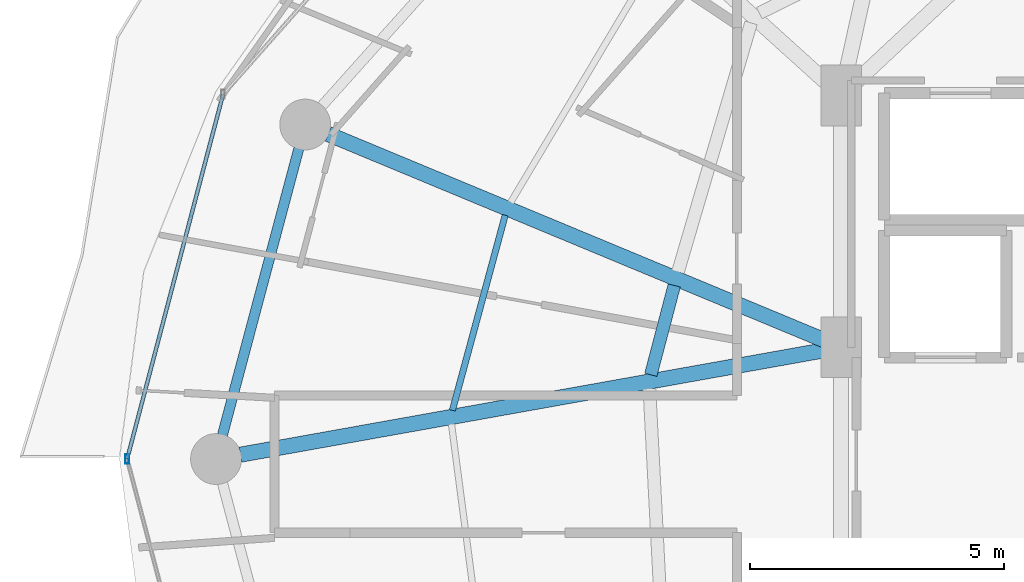
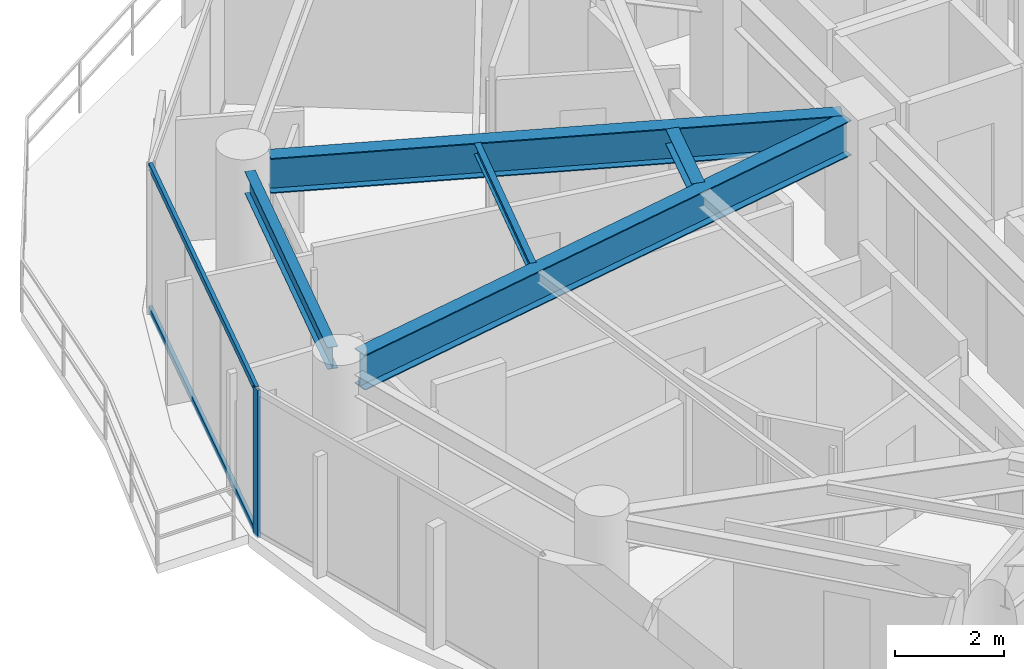
# One storey, part 8 of 30: 5 beams, 3 members, 1 element without a shape of its own.
"""IFC4 building model written with IfcOpenShell, lengths in metres."""

from ifc_helpers import new_model, si_unit, direction, frame, origin, origin_2d, place, context, subcontext, project, spatial, hollow_rectangle, i_section, extrude, material, material_profile, profile_set, type_object, element, aggregate, save


model = new_model("IFC4")

# Units and contexts
model_context = context("Model", 3, precision=1e-05, world=origin(), true_north=direction((0.0, 1.0)))
body_context = subcontext(model_context, "Body", "Model", "MODEL_VIEW")
ifc_project = project(units=[si_unit("LENGTHUNIT", "METRE"), si_unit("AREAUNIT", "SQUARE_METRE"), si_unit("VOLUMEUNIT", "CUBIC_METRE"), si_unit("PLANEANGLEUNIT", "RADIAN"), si_unit("MASSUNIT", "GRAM", prefix="KILO")], contexts=[model_context])

# Site, building, storey
site_placement = place(None, origin())
site = spatial("IfcSite", under=ifc_project, at=site_placement, CompositionType="ELEMENT")
building_placement = place(site_placement, origin())
building = spatial("IfcBuilding", under=site, at=building_placement, Name="Vorneva Point Tower", CompositionType="ELEMENT")
storey_placement = place(building_placement, frame((0.0, 0.0, 157.10009765625)))
storey = spatial("IfcBuildingStorey", under=building, at=storey_placement, Name="L42", CompositionType="ELEMENT", Elevation=157.10009765625)

# Beams
ifc_material_1 = material(Name="Steel S355", Category="steel")
ifc_material_profile_1 = material_profile(ifc_material_1, i_section(OverallWidth=0.300048828125, OverallDepth=0.7880859375, WebThickness=0.014404296875, FlangeThickness=0.02197265625, at=origin_2d()), Name="80Sh1")
ifc_profile_set_1 = profile_set([ifc_material_profile_1], Name="Steel S355")
beam_type_1 = type_object("IfcBeamType", Name="BM-GRD-80Sh1", PredefinedType="USERDEFINED", material=ifc_profile_set_1)
beam_1_placement = place(storey_placement, frame((17.1552734375, 32.39501953125, 2.845947265625), z_axis=(0.923440676596, -0.383741210723, 0.0), x_axis=(0.383741210723, 0.923440676596, 0.0)))
element("IfcBeam", 1, at=beam_1_placement, inside=storey, type_object=beam_type_1, Name="L42 Radial Primary Girder 08", ObjectType="GIRDER", PredefinedType="USERDEFINED", context=body_context, shape_type="SweptSolid", body=[
    extrude(i_section(OverallWidth=0.300048828125, OverallDepth=0.7880859375, WebThickness=0.014404296875, FlangeThickness=0.02197265625, at=origin_2d()), origin(), (0.0, 0.0, 1.0), 10.591552734375),
])
beam_2_placement = place(storey_placement, frame((15.430419921875, 26.0859375, 2.845947265625), z_axis=(0.984378132756, 0.176067293249, 0.0), x_axis=(-0.176067293249, 0.984378132756, 0.0)))
element("IfcBeam", 2, at=beam_2_placement, inside=storey, type_object=beam_type_1, Name="L42 Radial Primary Girder 09", ObjectType="GIRDER", PredefinedType="USERDEFINED", context=body_context, shape_type="SweptSolid", body=[
    extrude(i_section(OverallWidth=0.300048828125, OverallDepth=0.7880859375, WebThickness=0.014404296875, FlangeThickness=0.02197265625, at=origin_2d()), origin(), (0.0, 0.0, 1.0), 11.667236328125),
])
ifc_material_profile_2 = material_profile(ifc_material_1, i_section(OverallWidth=0.1240234375, OverallDepth=0.248046875, WebThickness=0.0048828125, FlangeThickness=0.008056640625, at=origin_2d()), Name="25B1")
ifc_profile_set_2 = profile_set([ifc_material_profile_2], Name="Steel S355")
beam_type_2 = type_object("IfcBeamType", Name="BM-JST-25B1", PredefinedType="JOIST", material=ifc_profile_set_2)
beam_3_placement = place(storey_placement, frame((20.64013671875, 30.798583984375, 3.115966796875), z_axis=(-0.261190338077, -0.96528731852, 0.0), x_axis=(0.96528731852, -0.261190338077, 0.0)))
element("IfcBeam", 3, at=beam_3_placement, inside=storey, type_object=beam_type_2, Name="L42 Secondary Floor Beam 1.08", PredefinedType="JOIST", context=body_context, shape_type="SweptSolid", body=[
    extrude(i_section(OverallWidth=0.1240234375, OverallDepth=0.248046875, WebThickness=0.0048828125, FlangeThickness=0.008056640625, at=origin_2d()), origin(), (0.0, 0.0, 1.0), 3.978271484375),
])
ifc_material_profile_3 = material_profile(ifc_material_1, i_section(OverallWidth=0.2490234375, OverallDepth=0.333984375, WebThickness=0.008056640625, FlangeThickness=0.010986328125, at=origin_2d()), Name="35Sh1")
ifc_profile_set_3 = profile_set([ifc_material_profile_3], Name="Steel S355")
beam_type_3 = type_object("IfcBeamType", Name="BM-SEC-35Sh1", PredefinedType="BEAM", material=ifc_profile_set_3)
beam_4_placement = place(storey_placement, frame((23.966796875, 29.416259765625, 3.072998046875), z_axis=(-0.253984468806, -0.967208296907, 0.0), x_axis=(0.967208296907, -0.253984468806, 0.0)))
element("IfcBeam", 4, at=beam_4_placement, inside=storey, type_object=beam_type_3, Name="L42 Secondary Floor Beam 2.08", PredefinedType="BEAM", context=body_context, shape_type="SweptSolid", body=[
    extrude(i_section(OverallWidth=0.2490234375, OverallDepth=0.333984375, WebThickness=0.008056640625, FlangeThickness=0.010986328125, at=origin_2d()), origin(), (0.0, 0.0, 1.0), 1.818603515625),
])
ifc_material_profile_4 = material_profile(ifc_material_1, i_section(OverallWidth=0.199951171875, OverallDepth=0.491943359375, WebThickness=0.0087890625, FlangeThickness=0.011962890625, at=origin_2d()), Name="50B1")
ifc_profile_set_4 = profile_set([ifc_material_profile_4], Name="Steel S355")
beam_type_4 = type_object("IfcBeamType", Name="BM-SPN-50B1", PredefinedType="SPANDREL", material=ifc_profile_set_4)
beam_5_placement = place(storey_placement, frame((16.57958984375, 32.113525390625, 2.993896484375), z_axis=(-0.257550804648, -0.966264758245, 0.0), x_axis=(0.966264758245, -0.257550804648, 0.0)))
element("IfcBeam", 5, at=beam_5_placement, inside=storey, type_object=beam_type_4, Name="L42 Perimeter Spandrel Ring Beam 08", PredefinedType="SPANDREL", context=body_context, shape_type="SweptSolid", body=[
    extrude(i_section(OverallWidth=0.199951171875, OverallDepth=0.491943359375, WebThickness=0.0087890625, FlangeThickness=0.011962890625, at=origin_2d()), origin(), (0.0, 0.0, 1.0), 5.842041015625),
])

# Curtain wall, members
ifc_material_2 = material(Name="Pale anodised aluminium", Category="aluminium")
curtain_wall_type = type_object("IfcCurtainWallType", Name="CW-RES-SYS", PredefinedType="NOTDEFINED", material=ifc_material_2)
curtain_wall_placement = place(storey_placement, origin())
curtain_wall = element("IfcCurtainWall", 6, at=curtain_wall_placement, inside=storey, type_object=curtain_wall_type, Name="L42 Unitised Curtain Wall CW-L42-R03", PredefinedType="NOTDEFINED")
ifc_material_profile_5 = material_profile(ifc_material_2, hollow_rectangle(XDim=0.074951171875, YDim=0.179931640625, WallThickness=0.00390625, at=origin_2d()), Name="AL-MUL 180x75x4")
ifc_profile_set_5 = profile_set([ifc_material_profile_5], Name="Pale anodised aluminium")
member_type_1 = type_object("IfcMemberType", Name="CW-MUL-180", PredefinedType="MULLION", material=ifc_profile_set_5)
member_1_placement = place(storey_placement, frame((13.199951171875, 26.0, -0.0400390625), z_axis=(0.0, 0.0, 1.0), x_axis=(1.0, 0.0, 0.0)))
member_1 = element("IfcMember", 7, at=member_1_placement, type_object=member_type_1, Name="CW-L42-R03 Mullion 04", PredefinedType="MULLION", context=body_context, shape_type="SweptSolid", body=[
    extrude(hollow_rectangle(XDim=0.074951171875, YDim=0.179931640625, WallThickness=0.00390625, at=origin_2d()), origin(), (0.0, 0.0, 1.0), 3.31005859375),
])
ifc_material_profile_6 = material_profile(ifc_material_2, hollow_rectangle(XDim=0.074951171875, YDim=0.14990234375, WallThickness=0.00390625, at=origin_2d()), Name="AL-TRN 150x75x4")
ifc_profile_set_6 = profile_set([ifc_material_profile_6], Name="Pale anodised aluminium")
member_type_2 = type_object("IfcMemberType", Name="CW-TRN-150", PredefinedType="USERDEFINED", material=ifc_profile_set_6)
member_2_placement = place(storey_placement, frame((15.087890625, 33.17529296875, 0.02001953125), z_axis=(-0.254456046293, -0.967084339913, 0.0), x_axis=(0.967084339913, -0.254456046293, 0.0)))
member_2 = element("IfcMember", 8, at=member_2_placement, type_object=member_type_2, Name="CW-L42-R03 Transom 03.1", ObjectType="TRANSOM", PredefinedType="USERDEFINED", context=body_context, shape_type="SweptSolid", body=[
    extrude(hollow_rectangle(XDim=0.074951171875, YDim=0.14990234375, WallThickness=0.00390625, at=origin_2d()), origin(), (0.0, 0.0, 1.0), 7.41943359375),
])
member_3_placement = place(storey_placement, frame((15.087890625, 33.17529296875, 3.219970703125), z_axis=(-0.254456046293, -0.967084339913, 0.0), x_axis=(0.967084339913, -0.254456046293, 0.0)))
member_3 = element("IfcMember", 9, at=member_3_placement, type_object=member_type_2, Name="CW-L42-R03 Transom 03.2", ObjectType="TRANSOM", PredefinedType="USERDEFINED", context=body_context, shape_type="SweptSolid", body=[
    extrude(hollow_rectangle(XDim=0.074951171875, YDim=0.14990234375, WallThickness=0.00390625, at=origin_2d()), origin(), (0.0, 0.0, 1.0), 7.41943359375),
])
aggregate(curtain_wall, [member_1, member_2, member_3])

save(model, "model.ifc")
